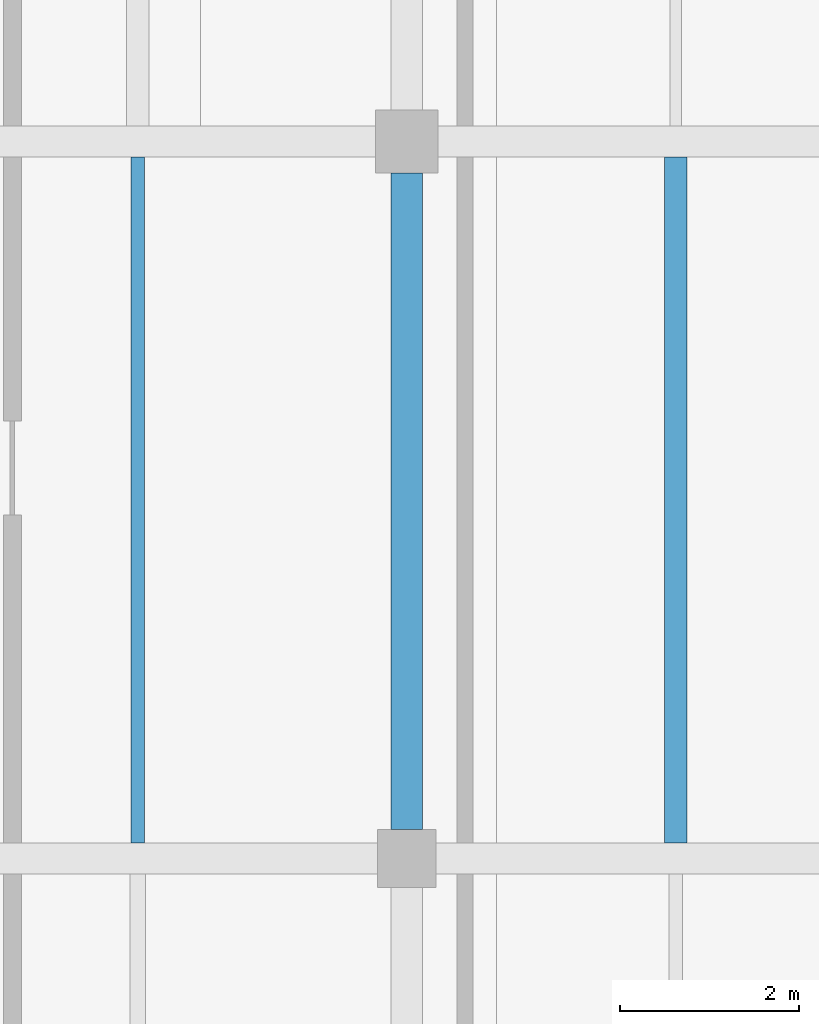
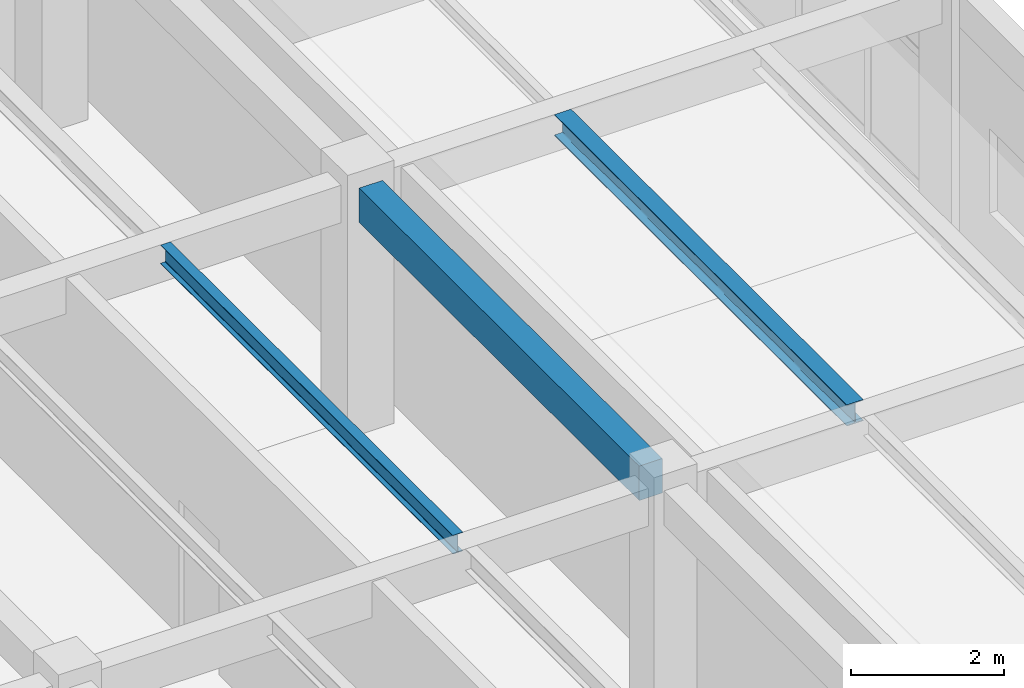
# One storey, part 27 of 71: 3 beams.
"""IFC4 building model written with IfcOpenShell, lengths in metres."""

from ifc_helpers import new_model, si_unit, derived_unit, direction, frame, origin, origin_2d, place, context, subcontext, project, spatial, rectangle, i_section, extrude, material, material_profile, profile_set, type_object, element, save


model = new_model("IFC4")

# Units and contexts
model_context = context("Model", 3, precision=1e-05, world=origin(), true_north=direction((0.0, 1.0)))
body_context = subcontext(model_context, "Body", "Model", "MODEL_VIEW")
ifc_project = project(units=[si_unit("LENGTHUNIT", "METRE"), si_unit("AREAUNIT", "SQUARE_METRE"), si_unit("VOLUMEUNIT", "CUBIC_METRE"), si_unit("PLANEANGLEUNIT", "RADIAN"), si_unit("MASSUNIT", "GRAM", prefix="KILO"), derived_unit("THERMALTRANSMITTANCEUNIT", [(si_unit("MASSUNIT", "GRAM", prefix="KILO"), 1), (si_unit("TIMEUNIT", "SECOND"), -3), (si_unit("THERMODYNAMICTEMPERATUREUNIT", "KELVIN"), -1)])], contexts=[model_context])

# Site, building, storey
site_placement = place(None, origin())
site = spatial("IfcSite", under=ifc_project, at=site_placement, CompositionType="ELEMENT")
building_placement = place(site_placement, origin())
building = spatial("IfcBuilding", under=site, at=building_placement, Name="Zhenchuan Archway Interchange", CompositionType="ELEMENT")
storey_placement = place(building_placement, frame((0.0, 0.0, 18.60009765625)))
storey = spatial("IfcBuildingStorey", under=building, at=storey_placement, Name="L04", CompositionType="ELEMENT", Elevation=18.60009765625)

# Beams
ifc_material_1 = material(Name="Concrete C40", Category="concrete")
ifc_material_profile_1 = material_profile(ifc_material_1, rectangle(XDim=0.35009765625, YDim=0.550048828125, at=origin_2d()), Name="RC 350x550")
ifc_profile_set_1 = profile_set([ifc_material_profile_1], Name="Concrete C40")
beam_type_1 = type_object("IfcBeamType", Name="BM_RC_350x550", PredefinedType="BEAM", material=ifc_profile_set_1)
beam_1_placement = place(storey_placement, frame((162.0, 32.324951171875, 3.664794921875), z_axis=(0.0, 1.0, 0.0), x_axis=(-1.0, 0.0, 0.0)))
element("IfcBeam", 1, at=beam_1_placement, inside=storey, type_object=beam_type_1, Name="Beam 19:E-F (L04)", PredefinedType="BEAM", context=body_context, shape_type="SweptSolid", body=[
    extrude(rectangle(XDim=0.35009765625, YDim=0.550048828125, at=origin_2d()), origin(), (0.0, 0.0, 1.0), 7.324951171875),
])
ifc_material_2 = material(Name="Steel Q355", Category="steel")
ifc_material_profile_2 = material_profile(ifc_material_2, i_section(OverallWidth=0.25, OverallDepth=0.340087890625, WebThickness=0.009033203125, FlangeThickness=0.013916015625, FilletRadius=0.01806640625, at=origin_2d()), Name="HM 340x250")
ifc_profile_set_2 = profile_set([ifc_material_profile_2], Name="Steel Q355")
beam_type_2 = type_object("IfcBeamType", Name="JST_STL_HM340", PredefinedType="JOIST", material=ifc_profile_set_2)
beam_2_placement = place(storey_placement, frame((165.0, 32.175048828125, 3.77001953125), z_axis=(0.0, 1.0, 0.0), x_axis=(-1.0, 0.0, 0.0)))
element("IfcBeam", 2, at=beam_2_placement, inside=storey, type_object=beam_type_2, Name="Secondary joist 19-20/E-F #1 (L04)", PredefinedType="JOIST", context=body_context, shape_type="SweptSolid", body=[
    extrude(i_section(OverallWidth=0.25, OverallDepth=0.340087890625, WebThickness=0.009033203125, FlangeThickness=0.013916015625, FilletRadius=0.01806640625, at=origin_2d()), origin(), (0.0, 0.0, 1.0), 7.64990234375),
])
ifc_material_profile_3 = material_profile(ifc_material_2, i_section(OverallWidth=0.14990234375, OverallDepth=0.300048828125, WebThickness=0.006591796875, FlangeThickness=0.009033203125, FilletRadius=0.012939453125, at=origin_2d()), Name="HN 300x150")
ifc_profile_set_3 = profile_set([ifc_material_profile_3], Name="Steel Q355")
beam_type_3 = type_object("IfcBeamType", Name="JST_STL_HN300", PredefinedType="JOIST", material=ifc_profile_set_3)
beam_3_placement = place(storey_placement, frame((159.0, 32.175048828125, 3.789794921875), z_axis=(0.0, 1.0, 0.0), x_axis=(-1.0, 0.0, 0.0)))
element("IfcBeam", 3, at=beam_3_placement, inside=storey, type_object=beam_type_3, Name="Secondary joist 18-19/E-F #2 (L04)", PredefinedType="JOIST", context=body_context, shape_type="SweptSolid", body=[
    extrude(i_section(OverallWidth=0.14990234375, OverallDepth=0.300048828125, WebThickness=0.006591796875, FlangeThickness=0.009033203125, FilletRadius=0.012939453125, at=origin_2d()), origin(), (0.0, 0.0, 1.0), 7.64990234375),
])

save(model, "model.ifc")
